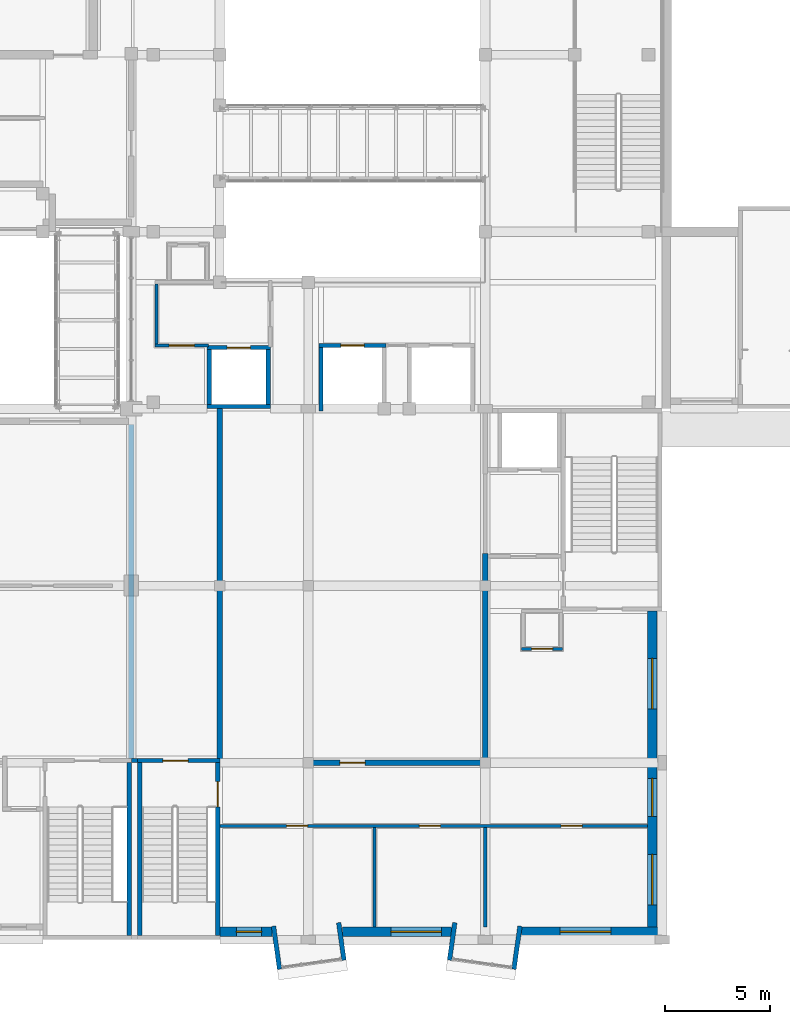
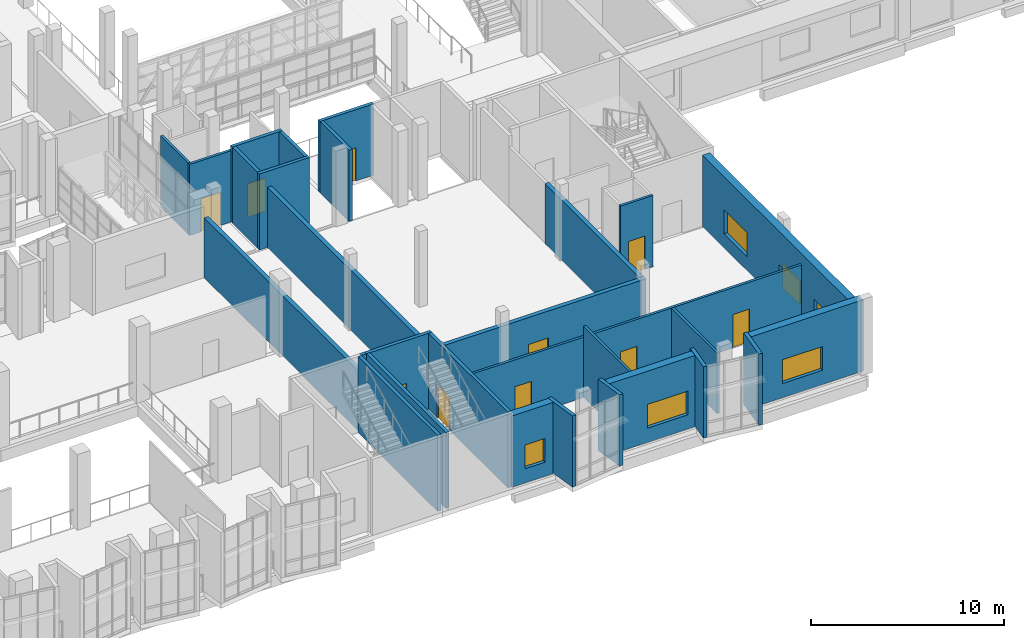
# One storey, part 43 of 86: 29 walls, 10 doors, 6 windows, 16 openings.
"""IFC4 building model written with IfcOpenShell, lengths in metres."""

from ifc_helpers import new_model, si_unit, direction, frame, frame_2d, origin, place, context, subcontext, project, spatial, rectangle, extrude, material, layer, layer_set, type_object, element, fill, save


model = new_model("IFC4")

# Units and contexts
model_context = context("Model", 3, precision=1e-05, world=origin(), true_north=direction((0.0, 1.0)))
body_context = subcontext(model_context, "Body", "Model", "MODEL_VIEW")
ifc_project = project(units=[si_unit("LENGTHUNIT", "METRE"), si_unit("AREAUNIT", "SQUARE_METRE"), si_unit("VOLUMEUNIT", "CUBIC_METRE"), si_unit("PLANEANGLEUNIT", "RADIAN"), si_unit("MASSUNIT", "GRAM", prefix="KILO")], contexts=[model_context])

# Site, building, storey
site_placement = place(None, origin())
site = spatial("IfcSite", under=ifc_project, at=site_placement, CompositionType="ELEMENT")
building_placement = place(site_placement, origin())
building = spatial("IfcBuilding", under=site, at=building_placement, Name="Kiln Court Media Centre", CompositionType="ELEMENT")
storey_placement = place(building_placement, frame((0.0, 0.0, 10.199951171875)))
storey = spatial("IfcBuildingStorey", under=building, at=storey_placement, Name="L02", CompositionType="ELEMENT", Elevation=10.199951171875)

# Wall
ifc_material_1 = material(Name="Concrete block masonry M10", Category="masonry")
ifc_layer_1 = layer(ifc_material_1, 0.25)
ifc_layer_set_1 = layer_set([ifc_layer_1], Name="Block fire wall 250 EI 240")
wall_type_1 = type_object("IfcWallType", Name="Block fire wall 250 EI 240", PredefinedType="SOLIDWALL", material=ifc_layer_set_1)
wall_1_placement = place(storey_placement, frame((33.60009765625, 8.60009765625, 0.0), z_axis=(0.0, 0.0, 1.0), x_axis=(0.0, 1.0, 0.0)))
element("IfcWall", 1, at=wall_1_placement, inside=storey, type_object=wall_type_1, Name="L02 block fire wall", PredefinedType="SOLIDWALL", context=body_context, shape_type="SweptSolid", body=[
    extrude(rectangle(XDim=15.849853515625, YDim=0.25, at=frame_2d((7.9248046875, 0.0))), origin(), (0.0, 0.0, 1.0), 3.800048828125),
])

# Wall, opening, door
ifc_material_2 = material(Name="Concrete block masonry M7.5", Category="masonry")
ifc_layer_2 = layer(ifc_material_2, 0.14990234375)
ifc_layer_set_2 = layer_set([ifc_layer_2], Name="Block lobby wall 150 EI 120")
wall_type_2 = type_object("IfcWallType", Name="Block lobby wall 150 EI 120", PredefinedType="SOLIDWALL", material=ifc_layer_set_2)
wall_2_placement = place(storey_placement, frame((34.72509765625, 28.199951171875, 0.0), z_axis=(0.0, 0.0, 1.0), x_axis=(1.0, 0.0, 0.0)))
wall_2 = element("IfcWall", 2, at=wall_2_placement, inside=storey, type_object=wall_type_2, Name="L02 block lobby wall", PredefinedType="SOLIDWALL", context=body_context, shape_type="SweptSolid", body=[
    extrude(rectangle(XDim=2.5498046875, YDim=0.14990234375, at=frame_2d((1.27490234375, 0.0))), origin(), (0.0, 0.0, 1.0), 4.5),
])
opening_1_placement = place(wall_2_placement, frame((0.675048828125, 0.0, 0.0)))
opening_1 = element("IfcOpeningElement", 3, at=opening_1_placement, cuts=wall_2, Name="Opening D2053", PredefinedType="OPENING", context=body_context, shape_type="SweptSolid", body=[
    extrude(rectangle(XDim=1.199951171875, YDim=2.10009765625, at=frame_2d((0.60009765625, 1.050048828125))), frame((0.0, 0.0849609375, 0.0), z_axis=(0.0, -1.0, 0.0), x_axis=(1.0, 0.0, 0.0)), (0.0, 0.0, 1.0), 0.169921875),
])
ifc_material_3 = material(Name="Steel S275", Category="steel")
door_type_1 = type_object("IfcDoorType", Name="Steel lobby door 1200 x 2100 FD120", OperationType="SINGLE_SWING_LEFT", PredefinedType="DOOR", material=ifc_material_3)
door_1_placement = place(opening_1_placement, origin())
door_1 = element("IfcDoor", 4, at=door_1_placement, inside=storey, type_object=door_type_1, Name="South Gallery West / Fire-fighting Lift Lobby", OperationType="SINGLE_SWING_RIGHT", OverallHeight=2.10009765625, OverallWidth=1.199951171875, PredefinedType="DOOR", context=body_context, shape_type="SweptSolid", body=[
    extrude(rectangle(XDim=1.199951171875, YDim=2.10009765625, at=frame_2d((0.60009765625, 1.050048828125))), frame((0.0, 0.02490234375, 0.0), z_axis=(0.0, -1.0, 0.0), x_axis=(1.0, 0.0, 0.0)), (0.0, 0.0, 1.0), 0.050048828125),
])
fill(opening_1, door_1)

# Walls
wall_3_placement = place(storey_placement, frame((34.800048828125, 28.27490234375, 0.0), z_axis=(0.0, 0.0, 1.0), x_axis=(0.0, 1.0, 0.0)))
element("IfcWall", 5, at=wall_3_placement, inside=storey, type_object=wall_type_2, Name="L02 block lobby wall", PredefinedType="SOLIDWALL", context=body_context, shape_type="SweptSolid", body=[
    extrude(rectangle(XDim=2.85009765625, YDim=0.14990234375, at=frame_2d((1.425048828125, 0.0))), origin(), (0.0, 0.0, 1.0), 4.5),
])
ifc_material_4 = material(Name="Brick masonry facing leaf with RC backing", Category="masonry")
ifc_layer_3 = layer(ifc_material_4, 0.215087890625)
ifc_layer_set_3 = layer_set([ifc_layer_3], Name="Brick masonry bay cheek wall 215")
wall_type_3 = type_object("IfcWallType", Name="Brick masonry bay cheek wall 215", PredefinedType="SOLIDWALL", material=ifc_layer_set_3)
wall_4_placement = place(storey_placement, frame((40.351806640625, 0.64501953125, 0.0), z_axis=(0.0, 0.0, 1.0), x_axis=(0.139057680951, -0.990284283107, 0.0)))
element("IfcWall", 6, at=wall_4_placement, inside=storey, type_object=wall_type_3, Name="BAY V6B-S-L02-04 cheek L", PredefinedType="SOLIDWALL", context=body_context, shape_type="SweptSolid", body=[
    extrude(rectangle(XDim=2.068115234375, YDim=0.215087890625, at=frame_2d((1.0341796875, 0.0))), origin(), (0.0, 0.0, 1.0), 4.5),
])
for number, where, z_axis, x_axis, name in (
    (7, (43.444091796875, 0.808837890625, 0.0), (0.0, 0.0, 1.0), (0.139161311926, -0.990269725511, 0.0), "BAY V6B-S-L02-04 cheek R"),
    (8, (48.9560546875, 0.808837890625, 0.0), (0.0, 0.0, 1.0), (-0.139161311926, -0.990269725511, 0.0), "BAY V6B-S-L02-05 cheek L"),
):
    element("IfcWall", number, at=place(storey_placement, frame(where, z_axis=z_axis, x_axis=x_axis)), inside=storey, type_object=wall_type_3, Name=name, PredefinedType="SOLIDWALL", context=body_context, shape_type="SweptSolid", body=[
        extrude(rectangle(XDim=1.800048828125, YDim=0.215087890625, at=frame_2d((0.89990234375, 0.0))), origin(), (0.0, 0.0, 1.0), 4.5),
    ])
wall_5_placement = place(storey_placement, frame((52.04833984375, 0.64501953125, 0.0), z_axis=(0.0, 0.0, 1.0), x_axis=(-0.139173441018, -0.990268020949, 0.0)))
element("IfcWall", 9, at=wall_5_placement, inside=storey, type_object=wall_type_3, Name="BAY V6B-S-L02-05 cheek R", PredefinedType="SOLIDWALL", context=body_context, shape_type="SweptSolid", body=[
    extrude(rectangle(XDim=2.068115234375, YDim=0.215087890625, at=frame_2d((1.0341796875, 0.0))), origin(), (0.0, 0.0, 1.0), 4.5),
])

# Wall, openings, windows
ifc_material_5 = material(Name="Brick masonry facing leaf with RC backing", Category="masonry")
ifc_layer_4 = layer(ifc_material_5, 0.449951171875)
ifc_layer_set_4 = layer_set([ifc_layer_4], Name="Brick masonry cavity wall 450")
wall_type_4 = type_object("IfcWallType", Name="Brick masonry cavity wall 450", PredefinedType="SOLIDWALL", material=ifc_layer_set_4)
wall_6_placement = place(storey_placement, frame((58.324951171875, 15.60009765625, 0.0), z_axis=(0.0, 0.0, 1.0), x_axis=(0.0, -1.0, 0.0)))
wall_6 = element("IfcWall", 10, at=wall_6_placement, inside=storey, type_object=wall_type_4, Name="V6B-E facade L02 3036", PredefinedType="SOLIDWALL", context=body_context, shape_type="SweptSolid", body=[
    extrude(rectangle(XDim=15.0, YDim=0.449951171875, at=frame_2d((7.5, 0.0))), origin(), (0.0, 0.0, 1.0), 4.5),
])
opening_2_placement = place(wall_6_placement, frame((11.550048828125, 0.0, 0.89990234375)))
opening_2 = element("IfcOpeningElement", 11, at=opening_2_placement, cuts=wall_6, Name="Opening WN2005", PredefinedType="OPENING", context=body_context, shape_type="SweptSolid", body=[
    extrude(rectangle(XDim=2.39990234375, YDim=1.5, at=frame_2d((1.199951171875, 0.75))), frame((0.0, 0.23486328125, 0.0), z_axis=(0.0, -1.0, 0.0), x_axis=(1.0, 0.0, 0.0)), (0.0, 0.0, 1.0), 0.469970703125),
])
opening_3_placement = place(wall_6_placement, frame((7.949951171875, 0.0, 0.89990234375)))
opening_3 = element("IfcOpeningElement", 12, at=opening_3_placement, cuts=wall_6, Name="Opening WN2006", PredefinedType="OPENING", context=body_context, shape_type="SweptSolid", body=[
    extrude(rectangle(XDim=1.800048828125, YDim=1.5, at=frame_2d((0.89990234375, 0.75))), frame((0.0, 0.23486328125, 0.0), z_axis=(0.0, -1.0, 0.0), x_axis=(1.0, 0.0, 0.0)), (0.0, 0.0, 1.0), 0.469970703125),
])
opening_4_placement = place(wall_6_placement, frame((2.25, 0.0, 0.89990234375)))
opening_4 = element("IfcOpeningElement", 13, at=opening_4_placement, cuts=wall_6, Name="Opening WN2007", PredefinedType="OPENING", context=body_context, shape_type="SweptSolid", body=[
    extrude(rectangle(XDim=2.39990234375, YDim=1.5, at=frame_2d((1.199951171875, 0.75))), frame((0.0, 0.23486328125, 0.0), z_axis=(0.0, -1.0, 0.0), x_axis=(1.0, 0.0, 0.0)), (0.0, 0.0, 1.0), 0.469970703125),
])
ifc_material_6 = material(Name="Aluminium 6063-T6", Category="aluminium")
window_type_1 = type_object("IfcWindowType", Name="Aluminium window 1800x1500", PartitioningType="DOUBLE_PANEL_VERTICAL", PredefinedType="WINDOW", material=ifc_material_6)
window_1_placement = place(opening_3_placement, origin())
window_1 = element("IfcWindow", 14, at=window_1_placement, inside=storey, type_object=window_type_1, Name="WA window WN2006", OverallHeight=1.5, OverallWidth=1.800048828125, PartitioningType="SINGLE_PANEL", PredefinedType="WINDOW", context=body_context, shape_type="SweptSolid", body=[
    extrude(rectangle(XDim=1.800048828125, YDim=1.5, at=frame_2d((0.89990234375, 0.75))), frame((0.0, 0.030029296875, 0.0), z_axis=(0.0, -1.0, 0.0), x_axis=(1.0, 0.0, 0.0)), (0.0, 0.0, 1.0), 0.06005859375),
])
fill(opening_3, window_1)
ifc_material_7 = material(Name="Aluminium 6063-T6", Category="aluminium")
window_type_2 = type_object("IfcWindowType", Name="Aluminium window 2400x1500", PartitioningType="TRIPLE_PANEL_VERTICAL", PredefinedType="WINDOW", material=ifc_material_7)
window_2_placement = place(opening_2_placement, origin())
window_2 = element("IfcWindow", 15, at=window_2_placement, inside=storey, type_object=window_type_2, Name="WC window WN2005", OverallHeight=1.5, OverallWidth=2.39990234375, PartitioningType="SINGLE_PANEL", PredefinedType="WINDOW", context=body_context, shape_type="SweptSolid", body=[
    extrude(rectangle(XDim=2.39990234375, YDim=1.5, at=frame_2d((1.199951171875, 0.75))), frame((0.0, 0.030029296875, 0.0), z_axis=(0.0, -1.0, 0.0), x_axis=(1.0, 0.0, 0.0)), (0.0, 0.0, 1.0), 0.06005859375),
])
fill(opening_2, window_2)
window_3_placement = place(opening_4_placement, origin())
window_3 = element("IfcWindow", 16, at=window_3_placement, inside=storey, type_object=window_type_2, Name="WC window WN2007", OverallHeight=1.5, OverallWidth=2.39990234375, PartitioningType="SINGLE_PANEL", PredefinedType="WINDOW", context=body_context, shape_type="SweptSolid", body=[
    extrude(rectangle(XDim=2.39990234375, YDim=1.5, at=frame_2d((1.199951171875, 0.75))), frame((0.0, 0.030029296875, 0.0), z_axis=(0.0, -1.0, 0.0), x_axis=(1.0, 0.0, 0.0)), (0.0, 0.0, 1.0), 0.06005859375),
])
fill(opening_4, window_3)

# Wall, opening, window
wall_7_placement = place(storey_placement, frame((40.281005859375, 0.375, 0.0), z_axis=(0.0, 0.0, 1.0), x_axis=(-1.0, 0.0, 0.0)))
wall_7 = element("IfcWall", 17, at=wall_7_placement, inside=storey, type_object=wall_type_4, Name="V6B-S facade L02 3041", PredefinedType="SOLIDWALL", context=body_context, shape_type="SweptSolid", body=[
    extrude(rectangle(XDim=2.48095703125, YDim=0.449951171875, at=frame_2d((1.240478515625, 0.0))), origin(), (0.0, 0.0, 1.0), 4.5),
])
opening_5_placement = place(wall_7_placement, frame((0.490478515625, 0.0, 0.89990234375)))
opening_5 = element("IfcOpeningElement", 18, at=opening_5_placement, cuts=wall_7, Name="Opening WN2008", PredefinedType="OPENING", context=body_context, shape_type="SweptSolid", body=[
    extrude(rectangle(XDim=1.199951171875, YDim=1.5, at=frame_2d((0.60009765625, 0.75))), frame((0.0, 0.23486328125, 0.0), z_axis=(0.0, -1.0, 0.0), x_axis=(1.0, 0.0, 0.0)), (0.0, 0.0, 1.0), 0.469970703125),
])
ifc_material_8 = material(Name="Aluminium 6063-T6", Category="aluminium")
window_type_3 = type_object("IfcWindowType", Name="Aluminium window 1200x1500", PartitioningType="DOUBLE_PANEL_VERTICAL", PredefinedType="WINDOW", material=ifc_material_8)
window_4_placement = place(opening_5_placement, origin())
window_4 = element("IfcWindow", 19, at=window_4_placement, inside=storey, type_object=window_type_3, Name="WB window WN2008", OverallHeight=1.5, OverallWidth=1.199951171875, PartitioningType="SINGLE_PANEL", PredefinedType="WINDOW", context=body_context, shape_type="SweptSolid", body=[
    extrude(rectangle(XDim=1.199951171875, YDim=1.5, at=frame_2d((0.60009765625, 0.75))), frame((0.0, 0.030029296875, 0.0), z_axis=(0.0, -1.0, 0.0), x_axis=(1.0, 0.0, 0.0)), (0.0, 0.0, 1.0), 0.06005859375),
])
fill(opening_5, window_4)

wall_8_placement = place(storey_placement, frame((48.78662109375, 0.375, 0.0), z_axis=(0.0, 0.0, 1.0), x_axis=(-1.0, 0.0, 0.0)))
wall_8 = element("IfcWall", 20, at=wall_8_placement, inside=storey, type_object=wall_type_4, Name="V6B-S facade L02 3042", PredefinedType="SOLIDWALL", context=body_context, shape_type="SweptSolid", body=[
    extrude(rectangle(XDim=5.173095703125, YDim=0.449951171875, at=frame_2d((2.58642578125, 0.0))), origin(), (0.0, 0.0, 1.0), 4.5),
])
opening_6_placement = place(wall_8_placement, frame((0.46826171875, 0.0, 0.89990234375)))
opening_6 = element("IfcOpeningElement", 21, at=opening_6_placement, cuts=wall_8, Name="Opening WN2009", PredefinedType="OPENING", context=body_context, shape_type="SweptSolid", body=[
    extrude(rectangle(XDim=2.39990234375, YDim=1.5, at=frame_2d((1.199951171875, 0.75))), frame((0.0, 0.23486328125, 0.0), z_axis=(0.0, -1.0, 0.0), x_axis=(1.0, 0.0, 0.0)), (0.0, 0.0, 1.0), 0.469970703125),
])
window_5_placement = place(opening_6_placement, origin())
window_5 = element("IfcWindow", 22, at=window_5_placement, inside=storey, type_object=window_type_2, Name="WC window WN2009", OverallHeight=1.5, OverallWidth=2.39990234375, PartitioningType="SINGLE_PANEL", PredefinedType="WINDOW", context=body_context, shape_type="SweptSolid", body=[
    extrude(rectangle(XDim=2.39990234375, YDim=1.5, at=frame_2d((1.199951171875, 0.75))), frame((0.0, 0.030029296875, 0.0), z_axis=(0.0, -1.0, 0.0), x_axis=(1.0, 0.0, 0.0)), (0.0, 0.0, 1.0), 0.06005859375),
])
fill(opening_6, window_5)

wall_9_placement = place(storey_placement, frame((58.800048828125, 0.375, 0.0), z_axis=(0.0, 0.0, 1.0), x_axis=(-1.0, 0.0, 0.0)))
wall_9 = element("IfcWall", 23, at=wall_9_placement, inside=storey, type_object=wall_type_4, Name="V6B-S facade L02 3043", PredefinedType="SOLIDWALL", context=body_context, shape_type="SweptSolid", body=[
    extrude(rectangle(XDim=6.68115234375, YDim=0.449951171875, at=frame_2d((3.340576171875, 0.0))), origin(), (0.0, 0.0, 1.0), 4.5),
])
opening_7_placement = place(wall_9_placement, frame((2.440673828125, 0.0, 0.89990234375)))
opening_7 = element("IfcOpeningElement", 24, at=opening_7_placement, cuts=wall_9, Name="Opening WN2010", PredefinedType="OPENING", context=body_context, shape_type="SweptSolid", body=[
    extrude(rectangle(XDim=2.39990234375, YDim=1.5, at=frame_2d((1.199951171875, 0.75))), frame((0.0, 0.23486328125, 0.0), z_axis=(0.0, -1.0, 0.0), x_axis=(1.0, 0.0, 0.0)), (0.0, 0.0, 1.0), 0.469970703125),
])
window_6_placement = place(opening_7_placement, origin())
window_6 = element("IfcWindow", 25, at=window_6_placement, inside=storey, type_object=window_type_2, Name="WC window WN2010", OverallHeight=1.5, OverallWidth=2.39990234375, PartitioningType="SINGLE_PANEL", PredefinedType="WINDOW", context=body_context, shape_type="SweptSolid", body=[
    extrude(rectangle(XDim=2.39990234375, YDim=1.5, at=frame_2d((1.199951171875, 0.75))), frame((0.0, 0.030029296875, 0.0), z_axis=(0.0, -1.0, 0.0), x_axis=(1.0, 0.0, 0.0)), (0.0, 0.0, 1.0), 0.06005859375),
])
fill(opening_7, window_6)

# Wall, opening, door
ifc_material_9 = material(Name="Concrete C40/50", Category="concrete")
ifc_layer_5 = layer(ifc_material_9, 0.199951171875)
ifc_layer_set_5 = layer_set([ifc_layer_5], Name="Concrete C40/50 lift shaft wall 200 EI 240")
wall_type_5 = type_object("IfcWallType", Name="Concrete C40/50 lift shaft wall 200 EI 240", PredefinedType="SHEAR", material=ifc_layer_set_5)
wall_10_placement = place(storey_placement, frame((42.5, 28.199951171875, 0.0), z_axis=(0.0, 0.0, 1.0), x_axis=(1.0, 0.0, 0.0)))
wall_10 = element("IfcWall", 26, at=wall_10_placement, inside=storey, type_object=wall_type_5, Name="L02 concrete c40/50 lift shaft wall", PredefinedType="SHEAR", context=body_context, shape_type="SweptSolid", body=[
    extrude(rectangle(XDim=3.199951171875, YDim=0.199951171875, at=frame_2d((1.60009765625, 0.0))), origin(), (0.0, 0.0, 1.0), 4.5),
])
opening_8_placement = place(wall_10_placement, frame((1.050048828125, 0.0, 0.0)))
opening_8 = element("IfcOpeningElement", 27, at=opening_8_placement, cuts=wall_10, Name="Opening LD207", PredefinedType="OPENING", context=body_context, shape_type="SweptSolid", body=[
    extrude(rectangle(XDim=1.10009765625, YDim=2.10009765625, at=frame_2d((0.550048828125, 1.050048828125))), frame((0.0, 0.10986328125, 0.0), z_axis=(0.0, -1.0, 0.0), x_axis=(1.0, 0.0, 0.0)), (0.0, 0.0, 1.0), 0.219970703125),
])
ifc_material_10 = material(Name="Stainless steel", Category="steel")
door_type_2 = type_object("IfcDoorType", Name="Lift landing door 1100 x 2100 FD120", OperationType="SLIDING_TO_LEFT", PredefinedType="DOOR", material=ifc_material_10)
door_2_placement = place(opening_8_placement, origin())
door_2 = element("IfcDoor", 28, at=door_2_placement, inside=storey, type_object=door_type_2, Name="LF-07 landing door L02", OperationType="SLIDING_TO_LEFT", OverallHeight=2.10009765625, OverallWidth=1.10009765625, PredefinedType="DOOR", context=body_context, shape_type="SweptSolid", body=[
    extrude(rectangle(XDim=1.10009765625, YDim=2.10009765625, at=frame_2d((0.550048828125, 1.050048828125))), frame((0.0, 0.02490234375, 0.0), z_axis=(0.0, -1.0, 0.0), x_axis=(1.0, 0.0, 0.0)), (0.0, 0.0, 1.0), 0.050048828125),
])
fill(opening_8, door_2)

# Walls
wall_11_placement = place(storey_placement, frame((42.60009765625, 25.10009765625, 0.0), z_axis=(0.0, 0.0, 1.0), x_axis=(0.0, 1.0, 0.0)))
element("IfcWall", 29, at=wall_11_placement, inside=storey, type_object=wall_type_5, Name="L02 concrete c40/50 lift shaft wall", PredefinedType="SHEAR", context=body_context, shape_type="SweptSolid", body=[
    extrude(rectangle(XDim=3.0, YDim=0.199951171875, at=frame_2d((1.5, 0.0))), origin(), (0.0, 0.0, 1.0), 4.5),
])
ifc_material_11 = material(Name="Concrete C40/50", Category="concrete")
ifc_layer_6 = layer(ifc_material_11, 0.199951171875)
ifc_layer_set_6 = layer_set([ifc_layer_6], Name="Concrete C40/50 shear wall 200")
wall_type_6 = type_object("IfcWallType", Name="Concrete C40/50 shear wall 200", PredefinedType="SHEAR", material=ifc_layer_set_6)
wall_12_placement = place(storey_placement, frame((33.5, 8.39990234375, 0.0), z_axis=(0.0, 0.0, 1.0), x_axis=(0.0, -1.0, 0.0)))
element("IfcWall", 30, at=wall_12_placement, inside=storey, type_object=wall_type_6, Name="L02-W-1011", PredefinedType="SHEAR", context=body_context, shape_type="SweptSolid", body=[
    extrude(rectangle(XDim=8.199951171875, YDim=0.199951171875, at=frame_2d((4.10009765625, 0.0))), origin(), (0.0, 0.0, 1.0), 4.800048828125),
])

# Wall, opening, door
wall_13_placement = place(storey_placement, frame((33.89990234375, 8.5, 0.0), z_axis=(0.0, 0.0, 1.0), x_axis=(1.0, 0.0, 0.0)))
wall_13 = element("IfcWall", 31, at=wall_13_placement, inside=storey, type_object=wall_type_6, Name="L02-W-1013", PredefinedType="SHEAR", context=body_context, shape_type="SweptSolid", body=[
    extrude(rectangle(XDim=3.900146484375, YDim=0.199951171875, at=frame_2d((1.9501953125, 0.0))), origin(), (0.0, 0.0, 1.0), 4.800048828125),
])
opening_9_placement = place(wall_13_placement, frame((1.2001953125, 0.0, 0.0)))
opening_9 = element("IfcOpeningElement", 32, at=opening_9_placement, cuts=wall_13, Name="Opening D2018", PredefinedType="OPENING", context=body_context, shape_type="SweptSolid", body=[
    extrude(rectangle(XDim=1.199951171875, YDim=2.10009765625, at=frame_2d((0.60009765625, 1.050048828125))), frame((0.0, 0.10986328125, 0.0), z_axis=(0.0, -1.0, 0.0), x_axis=(1.0, 0.0, 0.0)), (0.0, 0.0, 1.0), 0.219970703125),
])
ifc_material_12 = material(Name="Steel S275", Category="steel")
door_type_3 = type_object("IfcDoorType", Name="Steel stair door 1200 x 2100 FD180", OperationType="SINGLE_SWING_LEFT", PredefinedType="DOOR", material=ifc_material_12)
door_3_placement = place(opening_9_placement, origin())
door_3 = element("IfcDoor", 33, at=door_3_placement, inside=storey, type_object=door_type_3, Name="Stair 4 / Hall Corridor", OperationType="SINGLE_SWING_RIGHT", OverallHeight=2.10009765625, OverallWidth=1.199951171875, PredefinedType="DOOR", context=body_context, shape_type="SweptSolid", body=[
    extrude(rectangle(XDim=1.199951171875, YDim=2.10009765625, at=frame_2d((0.60009765625, 1.050048828125))), frame((0.0, 0.02490234375, 0.0), z_axis=(0.0, -1.0, 0.0), x_axis=(1.0, 0.0, 0.0)), (0.0, 0.0, 1.0), 0.050048828125),
])
fill(opening_9, door_3)

# Wall
wall_14_placement = place(storey_placement, frame((34.0, 0.199951171875, 0.0), z_axis=(0.0, 0.0, 1.0), x_axis=(0.0, 1.0, 0.0)))
element("IfcWall", 34, at=wall_14_placement, inside=storey, type_object=wall_type_6, Name="L02-W-1014", PredefinedType="SHEAR", context=body_context, shape_type="SweptSolid", body=[
    extrude(rectangle(XDim=8.199951171875, YDim=0.199951171875, at=frame_2d((4.10009765625, 0.0))), origin(), (0.0, 0.0, 1.0), 4.800048828125),
])

# Wall, opening, door
wall_15_placement = place(storey_placement, frame((37.699951171875, 8.39990234375, 0.0), z_axis=(0.0, 0.0, 1.0), x_axis=(0.0, -1.0, 0.0)))
wall_15 = element("IfcWall", 35, at=wall_15_placement, inside=storey, type_object=wall_type_6, Name="L02-W-1015", PredefinedType="SHEAR", context=body_context, shape_type="SweptSolid", body=[
    extrude(rectangle(XDim=8.199951171875, YDim=0.199951171875, at=frame_2d((4.10009765625, 0.0))), origin(), (0.0, 0.0, 1.0), 4.800048828125),
])
opening_10_placement = place(wall_15_placement, frame((0.89990234375, 0.0, 0.0)))
opening_10 = element("IfcOpeningElement", 36, at=opening_10_placement, cuts=wall_15, Name="Opening D2017", PredefinedType="OPENING", context=body_context, shape_type="SweptSolid", body=[
    extrude(rectangle(XDim=1.199951171875, YDim=2.10009765625, at=frame_2d((0.60009765625, 1.050048828125))), frame((0.0, 0.10986328125, 0.0), z_axis=(0.0, -1.0, 0.0), x_axis=(1.0, 0.0, 0.0)), (0.0, 0.0, 1.0), 0.219970703125),
])
door_4_placement = place(opening_10_placement, origin())
door_4 = element("IfcDoor", 37, at=door_4_placement, inside=storey, type_object=door_type_3, Name="Stair 4 / Suite Corridor", OperationType="SINGLE_SWING_RIGHT", OverallHeight=2.10009765625, OverallWidth=1.199951171875, PredefinedType="DOOR", context=body_context, shape_type="SweptSolid", body=[
    extrude(rectangle(XDim=1.199951171875, YDim=2.10009765625, at=frame_2d((0.60009765625, 1.050048828125))), frame((0.0, 0.02490234375, 0.0), z_axis=(0.0, -1.0, 0.0), x_axis=(1.0, 0.0, 0.0)), (0.0, 0.0, 1.0), 0.050048828125),
])
fill(opening_10, door_4)

# Wall
wall_16_placement = place(storey_placement, frame((40.199951171875, 25.300048828125, 0.0), z_axis=(0.0, 0.0, 1.0), x_axis=(-1.0, 0.0, 0.0)))
element("IfcWall", 38, at=wall_16_placement, inside=storey, type_object=wall_type_6, Name="L02-W-1106", PredefinedType="SHEAR", context=body_context, shape_type="SweptSolid", body=[
    extrude(rectangle(XDim=3.0, YDim=0.199951171875, at=frame_2d((1.5, 0.0))), origin(), (0.0, 0.0, 1.0), 4.800048828125),
])

# Wall, opening, door
wall_17_placement = place(storey_placement, frame((37.199951171875, 28.10009765625, 0.0), z_axis=(0.0, 0.0, 1.0), x_axis=(1.0, 0.0, 0.0)))
wall_17 = element("IfcWall", 39, at=wall_17_placement, inside=storey, type_object=wall_type_6, Name="L02-W-1107", PredefinedType="SHEAR", context=body_context, shape_type="SweptSolid", body=[
    extrude(rectangle(XDim=3.0, YDim=0.199951171875, at=frame_2d((1.5, 0.0))), origin(), (0.0, 0.0, 1.0), 4.800048828125),
])
opening_11_placement = place(wall_17_placement, frame((0.949951171875, 0.0, 0.0)))
opening_11 = element("IfcOpeningElement", 40, at=opening_11_placement, cuts=wall_17, Name="Opening LD213", PredefinedType="OPENING", context=body_context, shape_type="SweptSolid", body=[
    extrude(rectangle(XDim=1.10009765625, YDim=2.10009765625, at=frame_2d((0.550048828125, 1.050048828125))), frame((0.0, 0.10986328125, 0.0), z_axis=(0.0, -1.0, 0.0), x_axis=(1.0, 0.0, 0.0)), (0.0, 0.0, 1.0), 0.219970703125),
])
ifc_material_13 = material(Name="Stainless steel", Category="steel")
door_type_4 = type_object("IfcDoorType", Name="Firefighting lift landing door 1100 x 2100 FD120", OperationType="SLIDING_TO_LEFT", PredefinedType="DOOR", material=ifc_material_13)
door_5_placement = place(opening_11_placement, origin())
door_5 = element("IfcDoor", 41, at=door_5_placement, inside=storey, type_object=door_type_4, Name="LF-13 landing door L02", OperationType="SLIDING_TO_LEFT", OverallHeight=2.10009765625, OverallWidth=1.10009765625, PredefinedType="DOOR", context=body_context, shape_type="SweptSolid", body=[
    extrude(rectangle(XDim=1.10009765625, YDim=2.10009765625, at=frame_2d((0.550048828125, 1.050048828125))), frame((0.0, 0.02490234375, 0.0), z_axis=(0.0, -1.0, 0.0), x_axis=(1.0, 0.0, 0.0)), (0.0, 0.0, 1.0), 0.050048828125),
])
fill(opening_11, door_5)

# Walls
for number, where, z_axis, x_axis, name in (
    (42, (37.300048828125, 25.39990234375, 0.0), (0.0, 0.0, 1.0), (0.0, 1.0, 0.0), "L02-W-1108"),
    (43, (40.10009765625, 28.0, 0.0), (0.0, 0.0, 1.0), (0.0, -1.0, 0.0), "L02-W-1109"),
):
    element("IfcWall", number, at=place(storey_placement, frame(where, z_axis=z_axis, x_axis=x_axis)), inside=storey, type_object=wall_type_6, Name=name, PredefinedType="SHEAR", context=body_context, shape_type="SweptSolid", body=[
        extrude(rectangle(XDim=2.60009765625, YDim=0.199951171875, at=frame_2d((1.300048828125, 0.0))), origin(), (0.0, 0.0, 1.0), 4.800048828125),
    ])
wall_18_placement = place(storey_placement, frame((33.60009765625, 8.5, 0.0), z_axis=(0.0, 0.0, 1.0), x_axis=(1.0, 0.0, 0.0)))
element("IfcWall", 44, at=wall_18_placement, inside=storey, type_object=wall_type_6, Name="L02-W-1145", PredefinedType="SHEAR", context=body_context, shape_type="SweptSolid", body=[
    extrude(rectangle(XDim=0.2998046875, YDim=0.199951171875, at=frame_2d((0.14990234375, 0.0))), origin(), (0.0, 0.0, 1.0), 4.800048828125),
])

# Wall, opening, door
ifc_material_14 = material(Name="Gypsum plasterboard", Category="gypsum")
ifc_layer_7 = layer(ifc_material_14, 0.25)
ifc_layer_set_7 = layer_set([ifc_layer_7], Name="Double-leaf acoustic wall 250 EI 120")
wall_type_7 = type_object("IfcWallType", Name="Double-leaf acoustic wall 250 EI 120", PredefinedType="PARTITIONING", material=ifc_layer_set_7)
wall_19_placement = place(storey_placement, frame((37.675048828125, 8.39990234375, 0.0), z_axis=(0.0, 0.0, 1.0), x_axis=(1.0, 0.0, 0.0)))
wall_19 = element("IfcWall", 45, at=wall_19_placement, inside=storey, type_object=wall_type_7, Name="L02 double-leaf acoustic wall", PredefinedType="PARTITIONING", context=body_context, shape_type="SweptSolid", body=[
    extrude(rectangle(XDim=12.849853515625, YDim=0.25, at=frame_2d((6.4248046875, 0.0))), origin(), (0.0, 0.0, 1.0), 3.800048828125),
])
opening_12_placement = place(wall_19_placement, frame((5.824951171875, 0.0, 0.0)))
opening_12 = element("IfcOpeningElement", 46, at=opening_12_placement, cuts=wall_19, Name="Opening D2050", PredefinedType="OPENING", context=body_context, shape_type="SweptSolid", body=[
    extrude(rectangle(XDim=1.199951171875, YDim=2.10009765625, at=frame_2d((0.60009765625, 1.050048828125))), frame((0.0, 0.135009765625, 0.0), z_axis=(0.0, -1.0, 0.0), x_axis=(1.0, 0.0, 0.0)), (0.0, 0.0, 1.0), 0.27001953125),
])
ifc_material_15 = material(Name="Steel S275", Category="steel")
door_type_5 = type_object("IfcDoorType", Name="Acoustic studio door 1200 x 2100 FD180", OperationType="SINGLE_SWING_LEFT", PredefinedType="DOOR", material=ifc_material_15)
door_6_placement = place(opening_12_placement, origin())
door_6 = element("IfcDoor", 47, at=door_6_placement, inside=storey, type_object=door_type_5, Name="Suite Corridor / Screening Room", OperationType="SINGLE_SWING_LEFT", OverallHeight=2.10009765625, OverallWidth=1.199951171875, PredefinedType="DOOR", context=body_context, shape_type="SweptSolid", body=[
    extrude(rectangle(XDim=1.199951171875, YDim=2.10009765625, at=frame_2d((0.60009765625, 1.050048828125))), frame((0.0, 0.02490234375, 0.0), z_axis=(0.0, -1.0, 0.0), x_axis=(1.0, 0.0, 0.0)), (0.0, 0.0, 1.0), 0.050048828125),
])
fill(opening_12, door_6)

# Walls
wall_20_placement = place(storey_placement, frame((37.800048828125, 8.52490234375, 0.0), z_axis=(0.0, 0.0, 1.0), x_axis=(0.0, 1.0, 0.0)))
element("IfcWall", 48, at=wall_20_placement, inside=storey, type_object=wall_type_7, Name="L02 double-leaf acoustic wall", PredefinedType="PARTITIONING", context=body_context, shape_type="SweptSolid", body=[
    extrude(rectangle(XDim=16.675048828125, YDim=0.25, at=frame_2d((8.33740234375, 0.0))), origin(), (0.0, 0.0, 1.0), 3.800048828125),
])
wall_21_placement = place(storey_placement, frame((50.39990234375, 8.52490234375, 0.0), z_axis=(0.0, 0.0, 1.0), x_axis=(0.0, 1.0, 0.0)))
element("IfcWall", 49, at=wall_21_placement, inside=storey, type_object=wall_type_7, Name="L02 double-leaf acoustic wall", PredefinedType="PARTITIONING", context=body_context, shape_type="SweptSolid", body=[
    extrude(rectangle(XDim=9.800048828125, YDim=0.25, at=frame_2d((4.89990234375, 0.0))), origin(), (0.0, 0.0, 1.0), 3.800048828125),
])

# Wall, openings, doors
ifc_material_16 = material(Name="Gypsum plasterboard", Category="gypsum")
ifc_layer_8 = layer(ifc_material_16, 0.14990234375)
ifc_layer_set_8 = layer_set([ifc_layer_8], Name="Gypsum corridor partition 150 EI 60")
wall_type_8 = type_object("IfcWallType", Name="Gypsum corridor partition 150 EI 60", PredefinedType="PARTITIONING", material=ifc_layer_set_8)
wall_22_placement = place(storey_placement, frame((37.800048828125, 5.39990234375, 0.0), z_axis=(0.0, 0.0, 1.0), x_axis=(1.0, 0.0, 0.0)))
wall_22 = element("IfcWall", 50, at=wall_22_placement, inside=storey, type_object=wall_type_8, Name="L02 gypsum corridor partition", PredefinedType="PARTITIONING", context=body_context, shape_type="SweptSolid", body=[
    extrude(rectangle(XDim=20.300048828125, YDim=0.14990234375, at=frame_2d((10.14990234375, 0.0))), origin(), (0.0, 0.0, 1.0), 3.800048828125),
])
opening_13_placement = place(wall_22_placement, frame((3.175048828125, 0.0, 0.0)))
opening_13 = element("IfcOpeningElement", 51, at=opening_13_placement, cuts=wall_22, Name="Opening D2047", PredefinedType="OPENING", context=body_context, shape_type="SweptSolid", body=[
    extrude(rectangle(XDim=1.0, YDim=2.10009765625, at=frame_2d((0.5, 1.050048828125))), frame((0.0, 0.0849609375, 0.0), z_axis=(0.0, -1.0, 0.0), x_axis=(1.0, 0.0, 0.0)), (0.0, 0.0, 1.0), 0.169921875),
])
opening_14_placement = place(wall_22_placement, frame((9.47509765625, 0.0, 0.0)))
opening_14 = element("IfcOpeningElement", 52, at=opening_14_placement, cuts=wall_22, Name="Opening D2048", PredefinedType="OPENING", context=body_context, shape_type="SweptSolid", body=[
    extrude(rectangle(XDim=1.0, YDim=2.10009765625, at=frame_2d((0.5, 1.050048828125))), frame((0.0, 0.0849609375, 0.0), z_axis=(0.0, -1.0, 0.0), x_axis=(1.0, 0.0, 0.0)), (0.0, 0.0, 1.0), 0.169921875),
])
opening_15_placement = place(wall_22_placement, frame((16.199951171875, 0.0, 0.0)))
opening_15 = element("IfcOpeningElement", 53, at=opening_15_placement, cuts=wall_22, Name="Opening D2049", PredefinedType="OPENING", context=body_context, shape_type="SweptSolid", body=[
    extrude(rectangle(XDim=1.0, YDim=2.10009765625, at=frame_2d((0.5, 1.050048828125))), frame((0.0, 0.0849609375, 0.0), z_axis=(0.0, -1.0, 0.0), x_axis=(1.0, 0.0, 0.0)), (0.0, 0.0, 1.0), 0.169921875),
])
ifc_material_17 = material(Name="Steel S275", Category="steel")
door_type_6 = type_object("IfcDoorType", Name="Steel corridor door 1000 x 2100 FD30S", OperationType="SINGLE_SWING_LEFT", PredefinedType="DOOR", material=ifc_material_17)
door_7_placement = place(opening_13_placement, origin())
door_7 = element("IfcDoor", 54, at=door_7_placement, inside=storey, type_object=door_type_6, Name="Editing Suite 22 / Suite Corridor", OperationType="SINGLE_SWING_LEFT", OverallHeight=2.10009765625, OverallWidth=1.0, PredefinedType="DOOR", context=body_context, shape_type="SweptSolid", body=[
    extrude(rectangle(XDim=1.0, YDim=2.10009765625, at=frame_2d((0.5, 1.050048828125))), frame((0.0, 0.02490234375, 0.0), z_axis=(0.0, -1.0, 0.0), x_axis=(1.0, 0.0, 0.0)), (0.0, 0.0, 1.0), 0.050048828125),
])
fill(opening_13, door_7)
door_8_placement = place(opening_14_placement, origin())
door_8 = element("IfcDoor", 55, at=door_8_placement, inside=storey, type_object=door_type_6, Name="Editing Suite 23 / Suite Corridor", OperationType="SINGLE_SWING_RIGHT", OverallHeight=2.10009765625, OverallWidth=1.0, PredefinedType="DOOR", context=body_context, shape_type="SweptSolid", body=[
    extrude(rectangle(XDim=1.0, YDim=2.10009765625, at=frame_2d((0.5, 1.050048828125))), frame((0.0, 0.02490234375, 0.0), z_axis=(0.0, -1.0, 0.0), x_axis=(1.0, 0.0, 0.0)), (0.0, 0.0, 1.0), 0.050048828125),
])
fill(opening_14, door_8)
door_9_placement = place(opening_15_placement, origin())
door_9 = element("IfcDoor", 56, at=door_9_placement, inside=storey, type_object=door_type_6, Name="Edit Review Room / Suite Corridor", OperationType="SINGLE_SWING_RIGHT", OverallHeight=2.10009765625, OverallWidth=1.0, PredefinedType="DOOR", context=body_context, shape_type="SweptSolid", body=[
    extrude(rectangle(XDim=1.0, YDim=2.10009765625, at=frame_2d((0.5, 1.050048828125))), frame((0.0, 0.02490234375, 0.0), z_axis=(0.0, -1.0, 0.0), x_axis=(1.0, 0.0, 0.0)), (0.0, 0.0, 1.0), 0.050048828125),
])
fill(opening_15, door_9)

# Wall, opening, door
wall_23_placement = place(storey_placement, frame((52.125, 13.800048828125, 0.0), z_axis=(0.0, 0.0, 1.0), x_axis=(1.0, 0.0, 0.0)))
wall_23 = element("IfcWall", 57, at=wall_23_placement, inside=storey, type_object=wall_type_8, Name="L02 gypsum corridor partition", PredefinedType="PARTITIONING", context=body_context, shape_type="SweptSolid", body=[
    extrude(rectangle(XDim=1.949951171875, YDim=0.14990234375, at=frame_2d((0.97509765625, 0.0))), origin(), (0.0, 0.0, 1.0), 4.5),
])
opening_16_placement = place(wall_23_placement, frame((0.47509765625, 0.0, 0.0)))
opening_16 = element("IfcOpeningElement", 58, at=opening_16_placement, cuts=wall_23, Name="Opening D2051", PredefinedType="OPENING", context=body_context, shape_type="SweptSolid", body=[
    extrude(rectangle(XDim=1.0, YDim=2.10009765625, at=frame_2d((0.5, 1.050048828125))), frame((0.0, 0.0849609375, 0.0), z_axis=(0.0, -1.0, 0.0), x_axis=(1.0, 0.0, 0.0)), (0.0, 0.0, 1.0), 0.169921875),
])
door_10_placement = place(opening_16_placement, origin())
door_10 = element("IfcDoor", 59, at=door_10_placement, inside=storey, type_object=door_type_6, Name="Screening Foyer / Wheelchair Refuge", OperationType="SINGLE_SWING_RIGHT", OverallHeight=2.10009765625, OverallWidth=1.0, PredefinedType="DOOR", context=body_context, shape_type="SweptSolid", body=[
    extrude(rectangle(XDim=1.0, YDim=2.10009765625, at=frame_2d((0.5, 1.050048828125))), frame((0.0, 0.02490234375, 0.0), z_axis=(0.0, -1.0, 0.0), x_axis=(1.0, 0.0, 0.0)), (0.0, 0.0, 1.0), 0.050048828125),
])
fill(opening_16, door_10)

# Walls
wall_24_placement = place(storey_placement, frame((45.14990234375, 0.60009765625, 0.0), z_axis=(0.0, 0.0, 1.0), x_axis=(0.0, 1.0, 0.0)))
element("IfcWall", 60, at=wall_24_placement, inside=storey, type_object=wall_type_8, Name="L02 gypsum corridor partition", PredefinedType="PARTITIONING", context=body_context, shape_type="SweptSolid", body=[
    extrude(rectangle(XDim=4.724853515625, YDim=0.14990234375, at=frame_2d((2.3623046875, 0.0))), origin(), (0.0, 0.0, 1.0), 4.5),
])
wall_25_placement = place(storey_placement, frame((50.39990234375, 0.60009765625, 0.0), z_axis=(0.0, 0.0, 1.0), x_axis=(0.0, 1.0, 0.0)))
element("IfcWall", 61, at=wall_25_placement, inside=storey, type_object=wall_type_8, Name="L02 gypsum corridor partition", PredefinedType="PARTITIONING", context=body_context, shape_type="SweptSolid", body=[
    extrude(rectangle(XDim=4.724853515625, YDim=0.14990234375, at=frame_2d((2.3623046875, 0.0))), origin(), (0.0, 0.0, 1.0), 3.800048828125),
])

save(model, "model.ifc")
